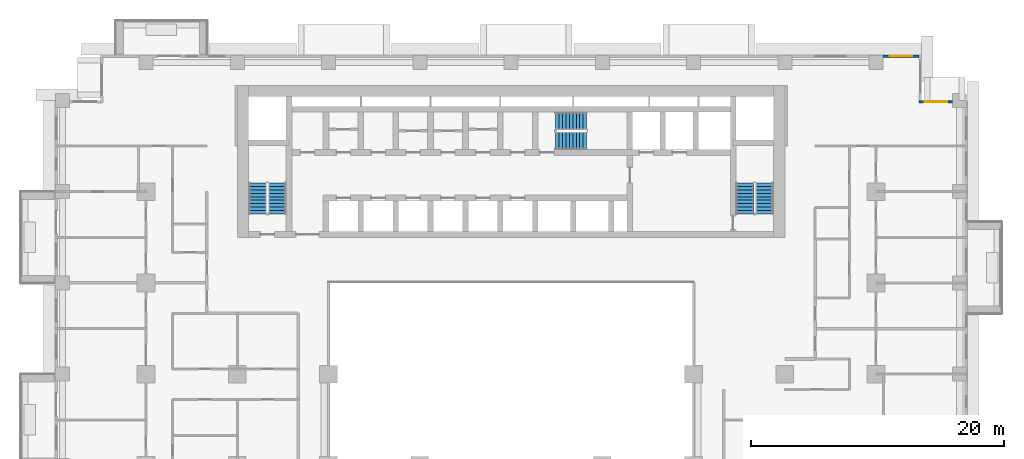
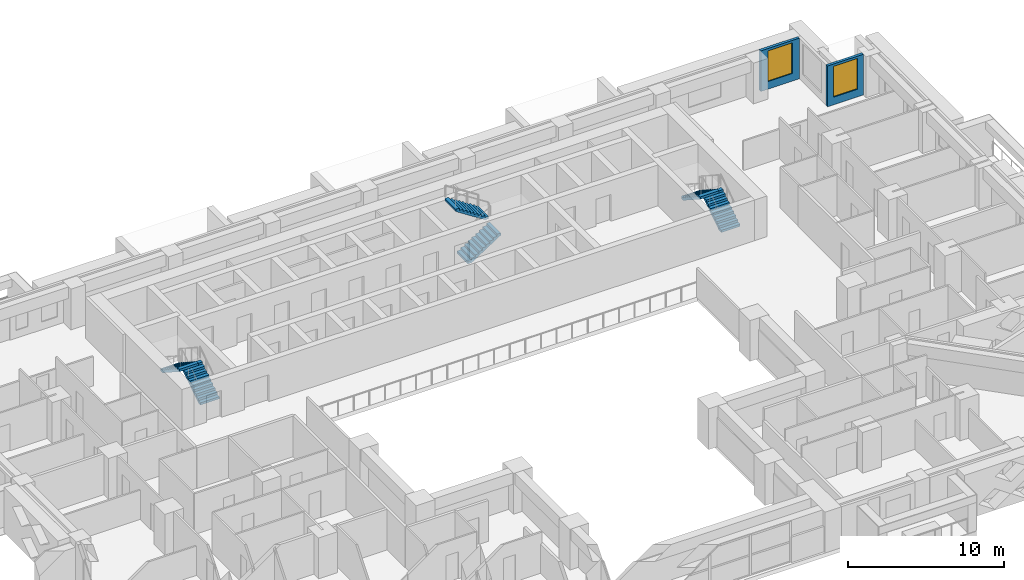
# One storey, part 13 of 17: 6 stair flights, 2 walls, 2 windows, 2 openings, 3 elements without a shape of their own.
"""IFC4 building model written with IfcOpenShell, lengths in metres."""

from ifc_helpers import new_model, si_unit, direction, frame, frame_2d, origin, place, context, subcontext, project, spatial, polyline, rectangle, outline, extrude, material, layer, layer_set, type_object, element, fill, aggregate, save


model = new_model("IFC4")

# Units and contexts
model_context = context("Model", 3, precision=1e-05, world=origin(), true_north=direction((0.0, 1.0)))
body_context = subcontext(model_context, "Body", "Model", "MODEL_VIEW")
ifc_project = project(units=[si_unit("LENGTHUNIT", "METRE"), si_unit("AREAUNIT", "SQUARE_METRE"), si_unit("VOLUMEUNIT", "CUBIC_METRE"), si_unit("PLANEANGLEUNIT", "RADIAN"), si_unit("MASSUNIT", "GRAM", prefix="KILO")], contexts=[model_context])

# Site, building, storey
site_placement = place(None, origin())
site = spatial("IfcSite", under=ifc_project, at=site_placement, CompositionType="ELEMENT")
building_placement = place(site_placement, origin())
building = spatial("IfcBuilding", under=site, at=building_placement, Name="Saffron Iwan Residences", CompositionType="ELEMENT")
storey_placement = place(building_placement, frame((0.0, 0.0, 37.5)))
storey = spatial("IfcBuildingStorey", under=building, at=storey_placement, Name="L08", CompositionType="ELEMENT", Elevation=37.5)

# Wall, opening, window
ifc_material_1 = material(Name="Concrete C40/50", Category="concrete")
ifc_layer_1 = layer(ifc_material_1, 0.199951171875)
ifc_layer_set_1 = layer_set([ifc_layer_1], Name="Concrete C40/50")
wall_type = type_object("IfcWallType", Name="EXTERNAL WALL 200", PredefinedType="SOLIDWALL", material=ifc_layer_set_1)
wall_1_placement = place(storey_placement, frame((85.25, 76.699951171875, 0.0), z_axis=(0.0, 0.0, 1.0), x_axis=(-1.0, 0.0, 0.0)))
wall_1 = element("IfcWall", 1, at=wall_1_placement, inside=storey, type_object=wall_type, Name="External wall L08 F3.0", PredefinedType="SOLIDWALL", context=body_context, shape_type="SweptSolid", body=[
    extrude(rectangle(XDim=2.64990234375, YDim=0.199951171875, at=frame_2d((1.324951171875, 0.0))), origin(), (0.0, 0.0, 1.0), 3.179931640625),
])
opening_1_placement = place(wall_1_placement, frame((0.425048828125, 0.0, 0.60009765625)))
opening_1 = element("IfcOpeningElement", 2, at=opening_1_placement, cuts=wall_1, Name="Opening W8", PredefinedType="OPENING", context=body_context, shape_type="SweptSolid", body=[
    extrude(rectangle(XDim=1.800048828125, YDim=2.39990234375, at=frame_2d((0.89990234375, 1.199951171875))), frame((0.0, 0.10986328125, 0.0), z_axis=(0.0, -1.0, 0.0), x_axis=(1.0, 0.0, 0.0)), (0.0, 0.0, 1.0), 0.219970703125),
])
ifc_material_2 = material(Name="Clear glass, laminated double glazed", Category="glass")
window_type = type_object("IfcWindowType", Name="WINDOW 1800 x 2400", PartitioningType="DOUBLE_PANEL_VERTICAL", PredefinedType="WINDOW", material=ifc_material_2)
window_1_placement = place(opening_1_placement, origin())
window_1 = element("IfcWindow", 3, at=window_1_placement, inside=storey, type_object=window_type, Name="Window L08 F3.0", OverallHeight=2.39990234375, OverallWidth=1.800048828125, PartitioningType="DOUBLE_PANEL_VERTICAL", PredefinedType="WINDOW", context=body_context, shape_type="SweptSolid", body=[
    extrude(rectangle(XDim=1.800048828125, YDim=2.39990234375, at=frame_2d((0.89990234375, 1.199951171875))), frame((0.0, 0.030029296875, 0.0), z_axis=(0.0, -1.0, 0.0), x_axis=(1.0, 0.0, 0.0)), (0.0, 0.0, 1.0), 0.06005859375),
])
fill(opening_1, window_1)

wall_2_placement = place(storey_placement, frame((82.60009765625, 80.300048828125, 0.0), z_axis=(0.0, 0.0, 1.0), x_axis=(-1.0, 0.0, 0.0)))
wall_2 = element("IfcWall", 4, at=wall_2_placement, inside=storey, type_object=wall_type, Name="External wall L08 F5.0", PredefinedType="SOLIDWALL", context=body_context, shape_type="SweptSolid", body=[
    extrude(rectangle(XDim=2.85009765625, YDim=0.199951171875, at=frame_2d((1.425048828125, 0.0))), origin(), (0.0, 0.0, 1.0), 3.179931640625),
])
opening_2_placement = place(wall_2_placement, frame((0.52490234375, 0.0, 0.60009765625)))
opening_2 = element("IfcOpeningElement", 5, at=opening_2_placement, cuts=wall_2, Name="Opening W8", PredefinedType="OPENING", context=body_context, shape_type="SweptSolid", body=[
    extrude(rectangle(XDim=1.800048828125, YDim=2.39990234375, at=frame_2d((0.89990234375, 1.199951171875))), frame((0.0, 0.10986328125, 0.0), z_axis=(0.0, -1.0, 0.0), x_axis=(1.0, 0.0, 0.0)), (0.0, 0.0, 1.0), 0.219970703125),
])
window_2_placement = place(opening_2_placement, origin())
window_2 = element("IfcWindow", 6, at=window_2_placement, inside=storey, type_object=window_type, Name="Window L08 F5.0", OverallHeight=2.39990234375, OverallWidth=1.800048828125, PartitioningType="DOUBLE_PANEL_VERTICAL", PredefinedType="WINDOW", context=body_context, shape_type="SweptSolid", body=[
    extrude(rectangle(XDim=1.800048828125, YDim=2.39990234375, at=frame_2d((0.89990234375, 1.199951171875))), frame((0.0, 0.030029296875, 0.0), z_axis=(0.0, -1.0, 0.0), x_axis=(1.0, 0.0, 0.0)), (0.0, 0.0, 1.0), 0.06005859375),
])
fill(opening_2, window_2)

# Stair, stair flights
ifc_material_3 = material(Name="Concrete C50/60", Category="concrete")
stair_type = type_object("IfcStairType", Name="Stair ST-CORE", PredefinedType="HALF_TURN_STAIR", material=ifc_material_3)
stair_1_placement = place(storey_placement, origin())
stair_1 = element("IfcStair", 7, at=stair_1_placement, inside=storey, type_object=stair_type, Name="L08 Exit Stair ST-W", PredefinedType="HALF_TURN_STAIR")
ifc_layer_2 = layer(ifc_material_3, 0.14990234375)
ifc_layer_set_2 = layer_set([ifc_layer_2], Name="Concrete C50/60")
stair_flight_type = type_object("IfcStairFlightType", Name="Stair flight SFL-RC", PredefinedType="STRAIGHT", material=ifc_layer_set_2)
stair_flight_1_placement = place(storey_placement, frame((31.949951171875, 67.85009765625, 0.0), z_axis=(0.0, 0.0, 1.0), x_axis=(0.0, 1.0, 0.0)))
stair_flight_1 = element("IfcStairFlight", 8, at=stair_flight_1_placement, type_object=stair_flight_type, Name="ST-W flight 1", NumberOfRisers=10, NumberOfTreads=9, PredefinedType="STRAIGHT", RiserHeight=0.175, TreadLength=0.27, context=body_context, shape_type="SweptSolid", body=[
    extrude(outline(polyline([(0.0, 0.0), (0.0, 0.175048828125), (0.27001953125, 0.175048828125), (0.27001953125, 0.35009765625), (0.5400390625, 0.35009765625), (0.5400390625, 0.52490234375), (0.81005859375, 0.52490234375), (0.81005859375, 0.699951171875), (1.080078125, 0.699951171875), (1.080078125, 0.875), (1.35009765625, 0.875), (1.35009765625, 1.050048828125), (1.6201171875, 1.050048828125), (1.6201171875, 1.22509765625), (1.889892578125, 1.22509765625), (1.889892578125, 1.39990234375), (2.159912109375, 1.39990234375), (2.159912109375, 1.574951171875), (2.429931640625, 1.574951171875), (2.429931640625, 1.75), (2.429931640625, 1.396484375), (0.275634765625, 0.0), (0.0, 0.0)])), frame((0.0, 0.699951171875, 0.0), z_axis=(0.0, -1.0, 0.0), x_axis=(1.0, 0.0, 0.0)), (0.0, 0.0, 1.0), 1.39990234375),
])
stair_flight_2_placement = place(storey_placement, frame((30.39990234375, 70.280029296875, 1.75), z_axis=(0.0, 0.0, 1.0), x_axis=(0.0, -1.0, 0.0)))
stair_flight_2 = element("IfcStairFlight", 9, at=stair_flight_2_placement, type_object=stair_flight_type, Name="ST-W flight 2", NumberOfRisers=10, NumberOfTreads=9, PredefinedType="STRAIGHT", RiserHeight=0.175, TreadLength=0.27, context=body_context, shape_type="SweptSolid", body=[
    extrude(outline(polyline([(0.0, 0.0), (0.0, 0.175048828125), (0.27001953125, 0.175048828125), (0.27001953125, 0.35009765625), (0.5400390625, 0.35009765625), (0.5400390625, 0.52490234375), (0.81005859375, 0.52490234375), (0.81005859375, 0.699951171875), (1.080078125, 0.699951171875), (1.080078125, 0.875), (1.35009765625, 0.875), (1.35009765625, 1.050048828125), (1.6201171875, 1.050048828125), (1.6201171875, 1.22509765625), (1.889892578125, 1.22509765625), (1.889892578125, 1.39990234375), (2.159912109375, 1.39990234375), (2.159912109375, 1.574951171875), (2.429931640625, 1.574951171875), (2.429931640625, 1.75), (2.429931640625, 1.396484375), (0.275634765625, 0.0), (0.0, 0.0)])), frame((0.0, 0.699951171875, 0.0), z_axis=(0.0, -1.0, 0.0), x_axis=(1.0, 0.0, 0.0)), (0.0, 0.0, 1.0), 1.39990234375),
])
aggregate(stair_1, [stair_flight_1, stair_flight_2])

stair_2_placement = place(storey_placement, origin())
stair_2 = element("IfcStair", 10, at=stair_2_placement, inside=storey, type_object=stair_type, Name="L08 Exit Stair ST-C", PredefinedType="HALF_TURN_STAIR")
stair_flight_3_placement = place(storey_placement, frame((53.925048828125, 73.625, 0.0), z_axis=(0.0, 0.0, 1.0), x_axis=(1.0, 0.0, 0.0)))
stair_flight_3 = element("IfcStairFlight", 11, at=stair_flight_3_placement, type_object=stair_flight_type, Name="ST-C flight 1", NumberOfRisers=10, NumberOfTreads=9, PredefinedType="STRAIGHT", RiserHeight=0.175, TreadLength=0.27, context=body_context, shape_type="SweptSolid", body=[
    extrude(outline(polyline([(0.0, 0.0), (0.0, 0.175048828125), (0.27001953125, 0.175048828125), (0.27001953125, 0.35009765625), (0.5400390625, 0.35009765625), (0.5400390625, 0.52490234375), (0.81005859375, 0.52490234375), (0.81005859375, 0.699951171875), (1.080078125, 0.699951171875), (1.080078125, 0.875), (1.35009765625, 0.875), (1.35009765625, 1.050048828125), (1.6201171875, 1.050048828125), (1.6201171875, 1.22509765625), (1.889892578125, 1.22509765625), (1.889892578125, 1.39990234375), (2.159912109375, 1.39990234375), (2.159912109375, 1.574951171875), (2.429931640625, 1.574951171875), (2.429931640625, 1.75), (2.429931640625, 1.396484375), (0.275634765625, 0.0), (0.0, 0.0)])), frame((0.0, 0.699951171875, 0.0), z_axis=(0.0, -1.0, 0.0), x_axis=(1.0, 0.0, 0.0)), (0.0, 0.0, 1.0), 1.39990234375),
])
stair_flight_4_placement = place(storey_placement, frame((56.35498046875, 75.175048828125, 1.75), z_axis=(0.0, 0.0, 1.0), x_axis=(-1.0, 0.0, 0.0)))
stair_flight_4 = element("IfcStairFlight", 12, at=stair_flight_4_placement, type_object=stair_flight_type, Name="ST-C flight 2", NumberOfRisers=10, NumberOfTreads=9, PredefinedType="STRAIGHT", RiserHeight=0.175, TreadLength=0.27, context=body_context, shape_type="SweptSolid", body=[
    extrude(outline(polyline([(0.0, 0.0), (0.0, 0.175048828125), (0.27001953125, 0.175048828125), (0.27001953125, 0.35009765625), (0.5400390625, 0.35009765625), (0.5400390625, 0.52490234375), (0.81005859375, 0.52490234375), (0.81005859375, 0.699951171875), (1.080078125, 0.699951171875), (1.080078125, 0.875), (1.35009765625, 0.875), (1.35009765625, 1.050048828125), (1.6201171875, 1.050048828125), (1.6201171875, 1.22509765625), (1.889892578125, 1.22509765625), (1.889892578125, 1.39990234375), (2.159912109375, 1.39990234375), (2.159912109375, 1.574951171875), (2.429931640625, 1.574951171875), (2.429931640625, 1.75), (2.429931640625, 1.396484375), (0.275634765625, 0.0), (0.0, 0.0)])), frame((0.0, 0.699951171875, 0.0), z_axis=(0.0, -1.0, 0.0), x_axis=(1.0, 0.0, 0.0)), (0.0, 0.0, 1.0), 1.39990234375),
])
aggregate(stair_2, [stair_flight_3, stair_flight_4])

stair_3_placement = place(storey_placement, origin())
stair_3 = element("IfcStair", 13, at=stair_3_placement, inside=storey, type_object=stair_type, Name="L08 Exit Stair ST-E", PredefinedType="HALF_TURN_STAIR")
stair_flight_5_placement = place(storey_placement, frame((70.39990234375, 67.85009765625, 0.0), z_axis=(0.0, 0.0, 1.0), x_axis=(0.0, 1.0, 0.0)))
stair_flight_5 = element("IfcStairFlight", 14, at=stair_flight_5_placement, type_object=stair_flight_type, Name="ST-E flight 1", NumberOfRisers=10, NumberOfTreads=9, PredefinedType="STRAIGHT", RiserHeight=0.175, TreadLength=0.27, context=body_context, shape_type="SweptSolid", body=[
    extrude(outline(polyline([(0.0, 0.0), (0.0, 0.175048828125), (0.27001953125, 0.175048828125), (0.27001953125, 0.35009765625), (0.5400390625, 0.35009765625), (0.5400390625, 0.52490234375), (0.81005859375, 0.52490234375), (0.81005859375, 0.699951171875), (1.080078125, 0.699951171875), (1.080078125, 0.875), (1.35009765625, 0.875), (1.35009765625, 1.050048828125), (1.6201171875, 1.050048828125), (1.6201171875, 1.22509765625), (1.889892578125, 1.22509765625), (1.889892578125, 1.39990234375), (2.159912109375, 1.39990234375), (2.159912109375, 1.574951171875), (2.429931640625, 1.574951171875), (2.429931640625, 1.75), (2.429931640625, 1.396484375), (0.275634765625, 0.0), (0.0, 0.0)])), frame((0.0, 0.699951171875, 0.0), z_axis=(0.0, -1.0, 0.0), x_axis=(1.0, 0.0, 0.0)), (0.0, 0.0, 1.0), 1.39990234375),
])
stair_flight_6_placement = place(storey_placement, frame((68.85009765625, 70.280029296875, 1.75), z_axis=(0.0, 0.0, 1.0), x_axis=(0.0, -1.0, 0.0)))
stair_flight_6 = element("IfcStairFlight", 15, at=stair_flight_6_placement, type_object=stair_flight_type, Name="ST-E flight 2", NumberOfRisers=10, NumberOfTreads=9, PredefinedType="STRAIGHT", RiserHeight=0.175, TreadLength=0.27, context=body_context, shape_type="SweptSolid", body=[
    extrude(outline(polyline([(0.0, 0.0), (0.0, 0.175048828125), (0.27001953125, 0.175048828125), (0.27001953125, 0.35009765625), (0.5400390625, 0.35009765625), (0.5400390625, 0.52490234375), (0.81005859375, 0.52490234375), (0.81005859375, 0.699951171875), (1.080078125, 0.699951171875), (1.080078125, 0.875), (1.35009765625, 0.875), (1.35009765625, 1.050048828125), (1.6201171875, 1.050048828125), (1.6201171875, 1.22509765625), (1.889892578125, 1.22509765625), (1.889892578125, 1.39990234375), (2.159912109375, 1.39990234375), (2.159912109375, 1.574951171875), (2.429931640625, 1.574951171875), (2.429931640625, 1.75), (2.429931640625, 1.396484375), (0.275634765625, 0.0), (0.0, 0.0)])), frame((0.0, 0.699951171875, 0.0), z_axis=(0.0, -1.0, 0.0), x_axis=(1.0, 0.0, 0.0)), (0.0, 0.0, 1.0), 1.39990234375),
])
aggregate(stair_3, [stair_flight_5, stair_flight_6])

save(model, "model.ifc")
